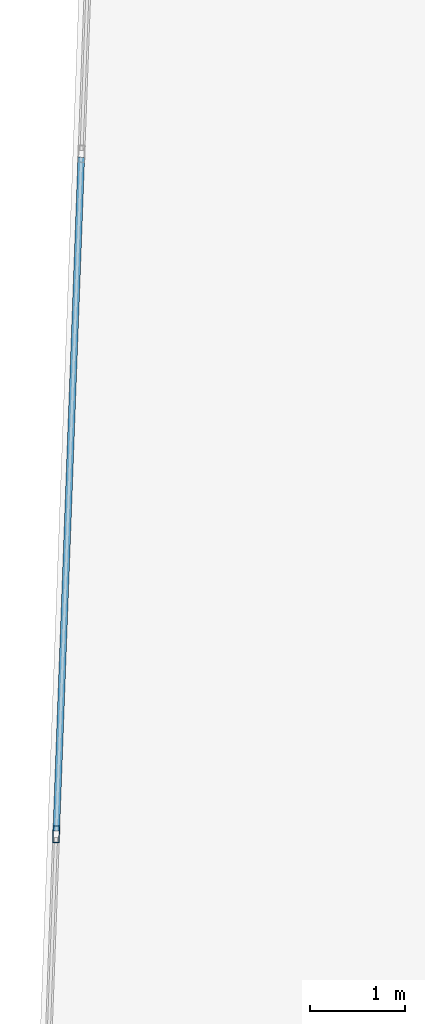
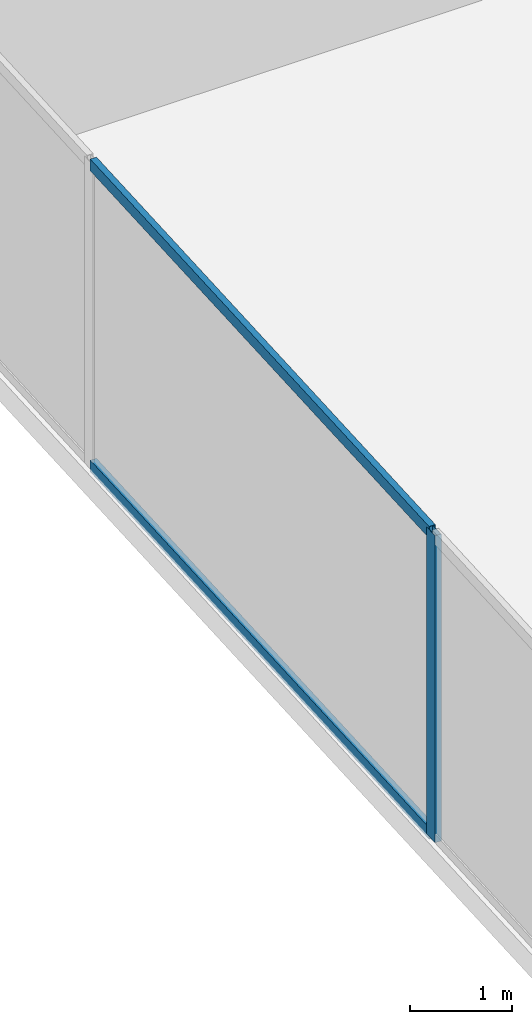
# One storey, part 4 of 30: 3 members, 1 element without a shape of its own.
"""IFC4 building model written with IfcOpenShell, lengths in metres."""

from ifc_helpers import new_model, si_unit, direction, frame, origin, origin_2d, place, context, subcontext, project, spatial, hollow_rectangle, extrude, source, transform, mapped, material, material_profile, profile_set, type_object, type_shapes, element, aggregate, save


model = new_model("IFC4")

# Units and contexts
model_context = context("Model", 3, precision=1e-05, world=origin(), true_north=direction((0.0, 1.0)))
body_context = subcontext(model_context, "Body", "Model", "MODEL_VIEW")
ifc_project = project(units=[si_unit("LENGTHUNIT", "METRE"), si_unit("AREAUNIT", "SQUARE_METRE"), si_unit("VOLUMEUNIT", "CUBIC_METRE"), si_unit("PLANEANGLEUNIT", "RADIAN"), si_unit("MASSUNIT", "GRAM", prefix="KILO")], contexts=[model_context])

# Site, building, storey
site_placement = place(None, origin())
site = spatial("IfcSite", under=ifc_project, at=site_placement, CompositionType="ELEMENT")
building_placement = place(site_placement, origin())
building = spatial("IfcBuilding", under=site, at=building_placement, Name="Krantzveldt Concourse Tower", CompositionType="ELEMENT")
storey_placement = place(building_placement, frame((0.0, 0.0, 44.75)))
storey = spatial("IfcBuildingStorey", under=building, at=storey_placement, Name="L10", CompositionType="ELEMENT", Elevation=44.75)

# Curtain wall, members
ifc_material = material(Name="Anodised aluminium 6063-T6", Category="aluminium")
curtain_wall_type = type_object("IfcCurtainWallType", Name="CW2", PredefinedType="USERDEFINED", material=ifc_material)
curtain_wall_placement = place(storey_placement, origin())
curtain_wall = element("IfcCurtainWall", 1, at=curtain_wall_placement, inside=storey, type_object=curtain_wall_type, Name="CW-L10-F01", ObjectType="UNITISED CURTAIN WALL", PredefinedType="USERDEFINED")
ifc_material_profile_1 = material_profile(ifc_material, hollow_rectangle(XDim=0.070068359375, YDim=0.179931640625, WallThickness=0.0048828125, at=origin_2d()), Name="Anodised aluminium 6063-T6", Category="aluminium")
ifc_profile_set_1 = profile_set([ifc_material_profile_1], Name="Anodised aluminium 6063-T6 - ALU-MULL 180x70x5")
member_type_1 = type_object("IfcMemberType", Name="CW-MUL-180", PredefinedType="MULLION", material=ifc_profile_set_1)
shared_shape_1 = source(origin(), body_context, "Body", "SweptSolid", [
    extrude(hollow_rectangle(XDim=0.070068359375, YDim=0.179931640625, WallThickness=0.0048828125, at=origin_2d()), origin(), (0.0, 0.0, 1.0), 3.669921875),
])
type_shapes(member_type_1, [shared_shape_1])
member_1_placement = place(storey_placement, frame((10.57568359375, 13.30029296875, 0.0), z_axis=(0.0, 0.0, 1.0), x_axis=(0.999312308986, -0.037079766834, 0.0)))
member_1 = element("IfcMember", 2, at=member_1_placement, type_object=member_type_1, Name="CW-Z12 mullion 6", PredefinedType="MULLION", context=body_context, shape_type="MappedRepresentation", body=[
    mapped(shared_shape_1, transform((0.0, 0.0, 0.0), x_axis=(1.0, 0.0, 0.0), y_axis=(0.0, 1.0, 0.0), z_axis=(0.0, 0.0, 1.0), scale=1.0)),
])
ifc_material_profile_2 = material_profile(ifc_material, hollow_rectangle(XDim=0.070068359375, YDim=0.139892578125, WallThickness=0.0048828125, at=origin_2d()), Name="Anodised aluminium 6063-T6", Category="aluminium")
ifc_profile_set_2 = profile_set([ifc_material_profile_2], Name="Anodised aluminium 6063-T6 - ALU-TRAN 140x70x5")
member_type_2 = type_object("IfcMemberType", Name="CW-TRN-150", PredefinedType="USERDEFINED", material=ifc_profile_set_2)
shared_shape_2 = source(origin(), body_context, "Body", "SweptSolid", [
    extrude(hollow_rectangle(XDim=0.070068359375, YDim=0.139892578125, WallThickness=0.0048828125, at=origin_2d()), origin(), (0.0, 0.0, 1.0), 7.0966796875),
])
type_shapes(member_type_2, [shared_shape_2])
member_2_placement = place(storey_placement, frame((10.840087890625, 20.427001953125, 0.034912109375), z_axis=(-0.037085459975, -0.999312097724, 0.0), x_axis=(0.999312097724, -0.037085459975, 0.0)))
member_2 = element("IfcMember", 3, at=member_2_placement, type_object=member_type_2, Name="CW-Z12 transom 5.1", ObjectType="TRANSOM", PredefinedType="USERDEFINED", context=body_context, shape_type="MappedRepresentation", body=[
    mapped(shared_shape_2, transform((0.0, 0.0, 0.0), x_axis=(1.0, 0.0, 0.0), y_axis=(0.0, 1.0, 0.0), z_axis=(0.0, 0.0, 1.0), scale=1.0)),
])
member_3_placement = place(storey_placement, frame((10.840087890625, 20.427001953125, 3.635009765625), z_axis=(-0.037085459975, -0.999312097724, 0.0), x_axis=(0.999312097724, -0.037085459975, 0.0)))
member_3 = element("IfcMember", 4, at=member_3_placement, type_object=member_type_2, Name="CW-Z12 transom 5.2", ObjectType="TRANSOM", PredefinedType="USERDEFINED", context=body_context, shape_type="MappedRepresentation", body=[
    mapped(shared_shape_2, transform((0.0, 0.0, 0.0), x_axis=(1.0, 0.0, 0.0), y_axis=(0.0, 1.0, 0.0), z_axis=(0.0, 0.0, 1.0), scale=1.0)),
])
aggregate(curtain_wall, [member_1, member_2, member_3])

save(model, "model.ifc")
